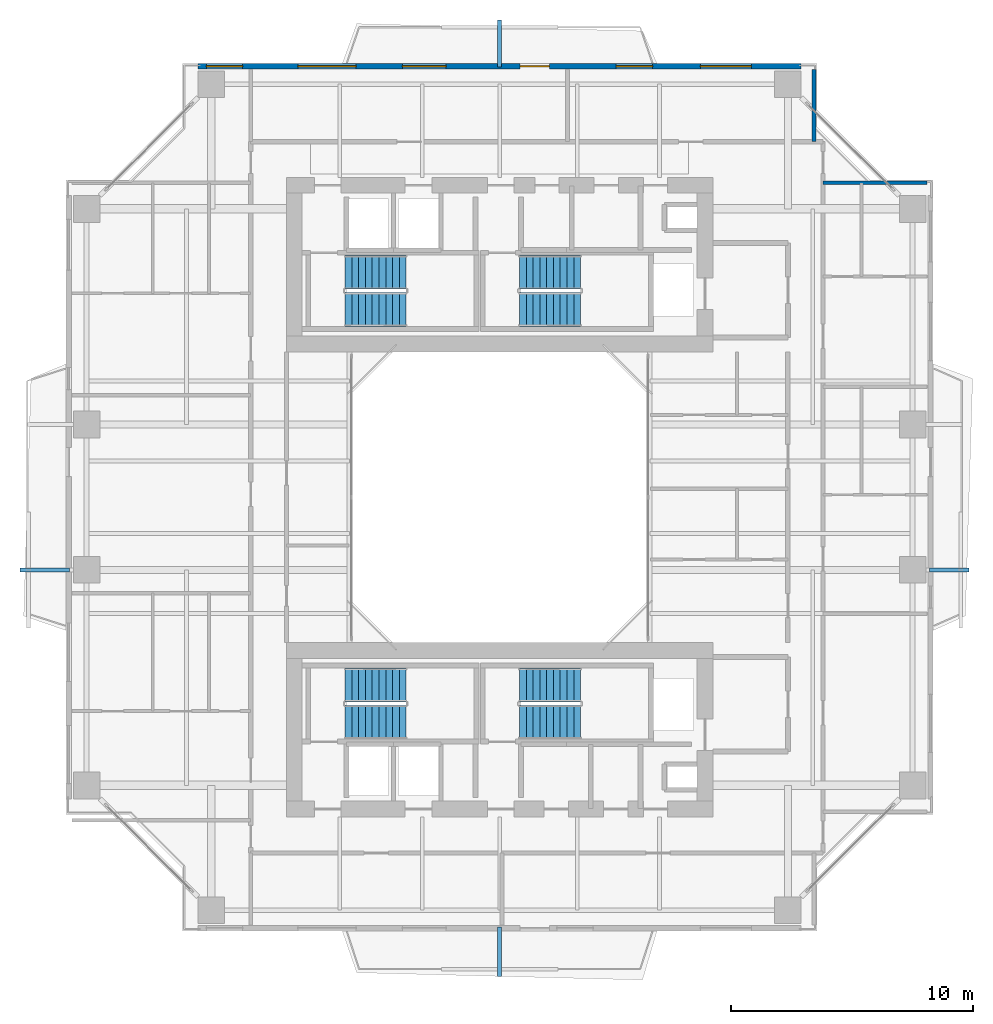
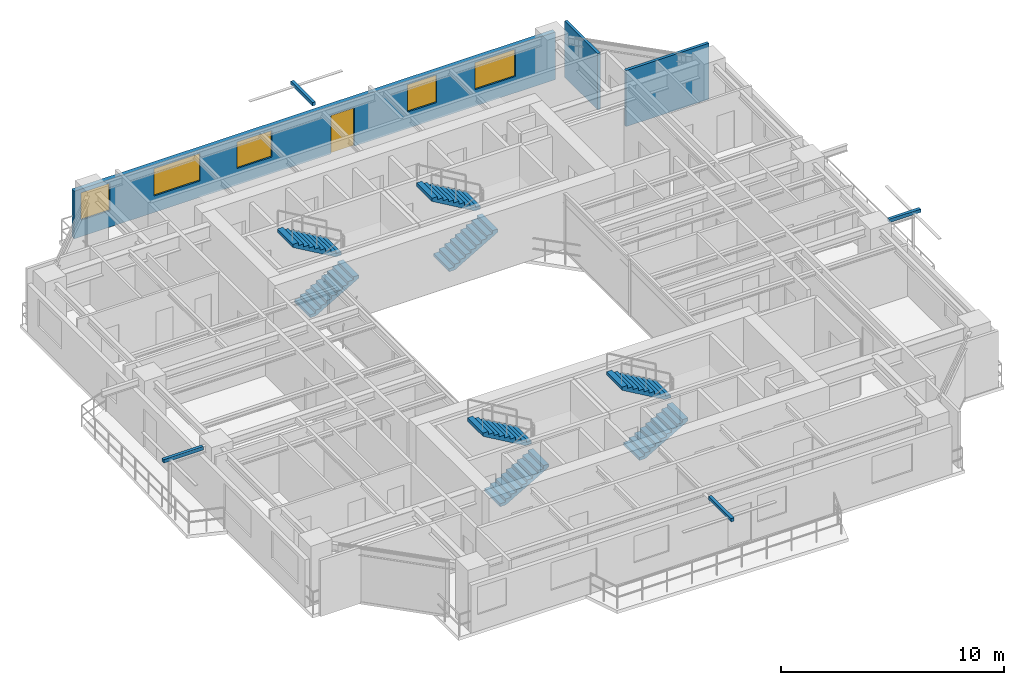
# One storey, part 14 of 17: 8 stair flights, 5 windows, 4 discrete accessories, 3 walls, 1 door, 6 openings, 4 elements without a shape of their own.
"""IFC4 building model written with IfcOpenShell, lengths in metres."""

from ifc_helpers import new_model, si_unit, direction, frame, frame_2d, origin, origin_2d, place, context, subcontext, project, spatial, polyline, rectangle, outline, extrude, source, transform, mapped, material, layer, layer_set, type_object, element, fill, aggregate, save


model = new_model("IFC4")

# Units and contexts
model_context = context("Model", 3, precision=1e-05, world=origin(), true_north=direction((0.0, 1.0)))
body_context = subcontext(model_context, "Body", "Model", "MODEL_VIEW")
ifc_project = project(units=[si_unit("LENGTHUNIT", "METRE"), si_unit("AREAUNIT", "SQUARE_METRE"), si_unit("VOLUMEUNIT", "CUBIC_METRE"), si_unit("PLANEANGLEUNIT", "RADIAN"), si_unit("MASSUNIT", "GRAM", prefix="KILO"), si_unit("THERMODYNAMICTEMPERATUREUNIT", "KELVIN"), si_unit("POWERUNIT", "WATT")], contexts=[model_context])

# Site, building, storey
site_placement = place(None, origin())
site = spatial("IfcSite", under=ifc_project, at=site_placement, CompositionType="ELEMENT")
building_placement = place(site_placement, origin())
building = spatial("IfcBuilding", under=site, at=building_placement, Name="Qiaomeng Ring Towers", CompositionType="ELEMENT")
storey_placement = place(building_placement, frame((0.0, 0.0, 129.5)))
storey = spatial("IfcBuildingStorey", under=building, at=storey_placement, Name="L37", CompositionType="ELEMENT", Elevation=129.5)

# Wall, openings, windows, door
ifc_material_1 = material(Name="Precast concrete C40", Category="concrete")
ifc_layer_1 = layer(ifc_material_1, 0.219970703125, Name="Precast concrete C40")
ifc_layer_set_1 = layer_set([ifc_layer_1], Name="Precast concrete C40")
wall_type_1 = type_object("IfcWallType", Name="ARC-WL-EW2", PredefinedType="STANDARD", material=ifc_layer_set_1)
wall_1_placement = place(storey_placement, frame((6.550048828125, 40.7900390625, 0.0), z_axis=(0.0, 0.0, 1.0), x_axis=(1.0, 0.0, 0.0)))
wall_1 = element("IfcWall", 1, at=wall_1_placement, inside=storey, type_object=wall_type_1, Name="L37 Tower 1 N Exterior Wall", PredefinedType="STANDARD", context=body_context, shape_type="SweptSolid", body=[
    extrude(rectangle(XDim=24.89990234375, YDim=0.219970703125, at=frame_2d((12.449951171875, 0.0))), origin(), (0.0, 0.0, 1.0), 2.610107421875),
])
opening_1_placement = place(wall_1_placement, frame((13.300048828125, 0.0, 0.0)))
opening_1 = element("IfcOpeningElement", 2, at=opening_1_placement, cuts=wall_1, Name="Opening BD1", PredefinedType="OPENING", context=body_context, shape_type="SweptSolid", body=[
    extrude(rectangle(XDim=1.199951171875, YDim=2.10009765625, at=frame_2d((0.60009765625, 1.050048828125))), frame((0.0, 0.119873046875, 0.0), z_axis=(0.0, -1.0, 0.0), x_axis=(1.0, 0.0, 0.0)), (0.0, 0.0, 1.0), 0.239990234375),
])
opening_2_placement = place(wall_1_placement, frame((0.342529296875, 0.0, 0.89990234375)))
opening_2 = element("IfcOpeningElement", 3, at=opening_2_placement, cuts=wall_1, Name="Opening WN2", PredefinedType="OPENING", context=body_context, shape_type="SweptSolid", body=[
    extrude(rectangle(XDim=1.5, YDim=1.5, at=frame_2d((0.75, 0.75))), frame((0.0, 0.119873046875, 0.0), z_axis=(0.0, -1.0, 0.0), x_axis=(1.0, 0.0, 0.0)), (0.0, 0.0, 1.0), 0.239990234375),
])
opening_3_placement = place(wall_1_placement, frame((8.43798828125, 0.0, 0.89990234375)))
opening_3 = element("IfcOpeningElement", 4, at=opening_3_placement, cuts=wall_1, Name="Opening WN1", PredefinedType="OPENING", context=body_context, shape_type="SweptSolid", body=[
    extrude(rectangle(XDim=1.800048828125, YDim=1.449951171875, at=frame_2d((0.89990234375, 0.72509765625))), frame((0.0, 0.119873046875, 0.0), z_axis=(0.0, -1.0, 0.0), x_axis=(1.0, 0.0, 0.0)), (0.0, 0.0, 1.0), 0.239990234375),
])
opening_4_placement = place(wall_1_placement, frame((17.261474609375, 0.0, 0.89990234375)))
opening_4 = element("IfcOpeningElement", 5, at=opening_4_placement, cuts=wall_1, Name="Opening WN2", PredefinedType="OPENING", context=body_context, shape_type="SweptSolid", body=[
    extrude(rectangle(XDim=1.5, YDim=1.5, at=frame_2d((0.75, 0.75))), frame((0.0, 0.119873046875, 0.0), z_axis=(0.0, -1.0, 0.0), x_axis=(1.0, 0.0, 0.0)), (0.0, 0.0, 1.0), 0.239990234375),
])
opening_5_placement = place(wall_1_placement, frame((20.738037109375, 0.0, 0.89990234375)))
opening_5 = element("IfcOpeningElement", 6, at=opening_5_placement, cuts=wall_1, Name="Opening WN4", PredefinedType="OPENING", context=body_context, shape_type="SweptSolid", body=[
    extrude(rectangle(XDim=2.10009765625, YDim=1.47998046875, at=frame_2d((1.050048828125, 0.739990234375))), frame((0.0, 0.119873046875, 0.0), z_axis=(0.0, -1.0, 0.0), x_axis=(1.0, 0.0, 0.0)), (0.0, 0.0, 1.0), 0.239990234375),
])
opening_6_placement = place(wall_1_placement, frame((4.12158203125, 0.0, 0.89990234375)))
opening_6 = element("IfcOpeningElement", 7, at=opening_6_placement, cuts=wall_1, Name="Opening WN6", PredefinedType="OPENING", context=body_context, shape_type="SweptSolid", body=[
    extrude(rectangle(XDim=2.39990234375, YDim=1.5, at=frame_2d((1.199951171875, 0.75))), frame((0.0, 0.119873046875, 0.0), z_axis=(0.0, -1.0, 0.0), x_axis=(1.0, 0.0, 0.0)), (0.0, 0.0, 1.0), 0.239990234375),
])
ifc_material_2 = material(Name="Low-E dark-grey laminated double glazing", Category="glass")
window_type_1 = type_object("IfcWindowType", Name="ARC-WN-4", PartitioningType="TRIPLE_PANEL_VERTICAL", PredefinedType="WINDOW", material=ifc_material_2)
shared_shape_1 = source(origin(), body_context, "Body", "SweptSolid", [
    extrude(rectangle(XDim=2.10009765625, YDim=1.47998046875, at=frame_2d((1.050048828125, 0.739990234375))), frame((0.0, 0.030029296875, 0.0), z_axis=(0.0, -1.0, 0.0), x_axis=(1.0, 0.0, 0.0)), (0.0, 0.0, 1.0), 0.06005859375),
])
window_1_placement = place(opening_5_placement, origin())
window_1 = element("IfcWindow", 8, at=window_1_placement, inside=storey, type_object=window_type_1, Name="L37 Exterior Window WN4", OverallHeight=1.47998046875, OverallWidth=2.10009765625, PartitioningType="TRIPLE_PANEL_VERTICAL", PredefinedType="WINDOW", context=body_context, shape_type="MappedRepresentation", body=[
    mapped(shared_shape_1, transform((0.0, 0.0, 0.0), x_axis=(1.0, 0.0, 0.0), y_axis=(0.0, 1.0, 0.0), z_axis=(0.0, 0.0, 1.0), scale=1.0)),
])
fill(opening_5, window_1)
window_type_2 = type_object("IfcWindowType", Name="ARC-WN-1", PartitioningType="DOUBLE_PANEL_VERTICAL", PredefinedType="WINDOW", material=ifc_material_2)
shared_shape_2 = source(origin(), body_context, "Body", "SweptSolid", [
    extrude(rectangle(XDim=1.800048828125, YDim=1.449951171875, at=frame_2d((0.89990234375, 0.72509765625))), frame((0.0, 0.030029296875, 0.0), z_axis=(0.0, -1.0, 0.0), x_axis=(1.0, 0.0, 0.0)), (0.0, 0.0, 1.0), 0.06005859375),
])
window_2_placement = place(opening_3_placement, origin())
window_2 = element("IfcWindow", 9, at=window_2_placement, inside=storey, type_object=window_type_2, Name="L37 Exterior Window WN1", OverallHeight=1.449951171875, OverallWidth=1.800048828125, PartitioningType="DOUBLE_PANEL_VERTICAL", PredefinedType="WINDOW", context=body_context, shape_type="MappedRepresentation", body=[
    mapped(shared_shape_2, transform((0.0, 0.0, 0.0), x_axis=(1.0, 0.0, 0.0), y_axis=(0.0, 1.0, 0.0), z_axis=(0.0, 0.0, 1.0), scale=1.0)),
])
fill(opening_3, window_2)
door_type = type_object("IfcDoorType", Name="ARC-DR-BD1", OperationType="NOTDEFINED", PredefinedType="DOOR", material=ifc_material_2)
shared_shape_3 = source(origin(), body_context, "Body", "SweptSolid", [
    extrude(rectangle(XDim=1.199951171875, YDim=2.10009765625, at=frame_2d((0.60009765625, 1.050048828125))), frame((0.0, 0.02490234375, 0.0), z_axis=(0.0, -1.0, 0.0), x_axis=(1.0, 0.0, 0.0)), (0.0, 0.0, 1.0), 0.050048828125),
])
door_placement = place(opening_1_placement, origin())
door = element("IfcDoor", 10, at=door_placement, inside=storey, type_object=door_type, Name="L37 N Balcony Glazed Door", OperationType="SINGLE_SWING_LEFT", OverallHeight=2.10009765625, OverallWidth=1.199951171875, PredefinedType="DOOR", context=body_context, shape_type="MappedRepresentation", body=[
    mapped(shared_shape_3, transform((0.0, 0.0, 0.0), x_axis=(1.0, 0.0, 0.0), y_axis=(0.0, 1.0, 0.0), z_axis=(0.0, 0.0, 1.0), scale=1.0)),
])
fill(opening_1, door)
window_type_3 = type_object("IfcWindowType", Name="ARC-WN-2", PartitioningType="DOUBLE_PANEL_VERTICAL", PredefinedType="WINDOW", material=ifc_material_2)
shared_shape_4 = source(origin(), body_context, "Body", "SweptSolid", [
    extrude(rectangle(XDim=1.5, YDim=1.5, at=frame_2d((0.75, 0.75))), frame((0.0, 0.030029296875, 0.0), z_axis=(0.0, -1.0, 0.0), x_axis=(1.0, 0.0, 0.0)), (0.0, 0.0, 1.0), 0.06005859375),
])
window_3_placement = place(opening_2_placement, origin())
window_3 = element("IfcWindow", 11, at=window_3_placement, inside=storey, type_object=window_type_3, Name="L37 Exterior Window WN6", OverallHeight=1.5, OverallWidth=1.5, PartitioningType="TRIPLE_PANEL_VERTICAL", PredefinedType="WINDOW", context=body_context, shape_type="MappedRepresentation", body=[
    mapped(shared_shape_4, transform((0.0, 0.0, 0.0), x_axis=(1.0, 0.0, 0.0), y_axis=(0.0, 1.0, 0.0), z_axis=(0.0, 0.0, 1.0), scale=1.0)),
])
fill(opening_2, window_3)
window_4_placement = place(opening_4_placement, origin())
window_4 = element("IfcWindow", 12, at=window_4_placement, inside=storey, type_object=window_type_3, Name="L37 Exterior Window WN2", OverallHeight=1.5, OverallWidth=1.5, PartitioningType="DOUBLE_PANEL_VERTICAL", PredefinedType="WINDOW", context=body_context, shape_type="MappedRepresentation", body=[
    mapped(shared_shape_4, transform((0.0, 0.0, 0.0), x_axis=(1.0, 0.0, 0.0), y_axis=(0.0, 1.0, 0.0), z_axis=(0.0, 0.0, 1.0), scale=1.0)),
])
fill(opening_4, window_4)
window_type_4 = type_object("IfcWindowType", Name="ARC-WN-6", PartitioningType="TRIPLE_PANEL_VERTICAL", PredefinedType="WINDOW", material=ifc_material_2)
shared_shape_5 = source(origin(), body_context, "Body", "SweptSolid", [
    extrude(rectangle(XDim=2.39990234375, YDim=1.5, at=frame_2d((1.199951171875, 0.75))), frame((0.0, 0.030029296875, 0.0), z_axis=(0.0, -1.0, 0.0), x_axis=(1.0, 0.0, 0.0)), (0.0, 0.0, 1.0), 0.06005859375),
])
window_5_placement = place(opening_6_placement, origin())
window_5 = element("IfcWindow", 13, at=window_5_placement, inside=storey, type_object=window_type_4, Name="L37 Exterior Window WN6", OverallHeight=1.5, OverallWidth=2.39990234375, PartitioningType="TRIPLE_PANEL_VERTICAL", PredefinedType="WINDOW", context=body_context, shape_type="MappedRepresentation", body=[
    mapped(shared_shape_5, transform((0.0, 0.0, 0.0), x_axis=(1.0, 0.0, 0.0), y_axis=(0.0, 1.0, 0.0), z_axis=(0.0, 0.0, 1.0), scale=1.0)),
])
fill(opening_6, window_5)

# Walls
ifc_material_3 = material(Name="Gypsum fireboard steel-stud partition", Category="steel")
ifc_layer_2 = layer(ifc_material_3, 0.14990234375, Name="Gypsum fireboard steel-stud partition")
ifc_layer_set_2 = layer_set([ifc_layer_2], Name="Gypsum fireboard steel-stud partition")
wall_type_2 = type_object("IfcWallType", Name="ARC-WL-PW3", PredefinedType="PARTITIONING", material=ifc_layer_set_2)
wall_2_placement = place(storey_placement, frame((31.97998046875, 37.679931640625, 0.0), z_axis=(0.0, 0.0, 1.0), x_axis=(0.0, 1.0, 0.0)))
element("IfcWall", 14, at=wall_2_placement, inside=storey, type_object=wall_type_2, Name="L37 Interior Wall PW3", PredefinedType="PARTITIONING", context=body_context, shape_type="SweptSolid", body=[
    extrude(rectangle(XDim=2.969970703125, YDim=0.14990234375, at=frame_2d((1.48486328125, 0.0))), origin(), (0.0, 0.0, 1.0), 3.070068359375),
])
wall_3_placement = place(storey_placement, frame((32.35009765625, 35.97998046875, 0.0), z_axis=(0.0, 0.0, 1.0), x_axis=(1.0, 0.0, 0.0)))
element("IfcWall", 15, at=wall_3_placement, inside=storey, type_object=wall_type_2, Name="L37 Interior Wall PW3", PredefinedType="PARTITIONING", context=body_context, shape_type="SweptSolid", body=[
    extrude(rectangle(XDim=4.2998046875, YDim=0.14990234375, at=frame_2d((2.14990234375, 0.0))), origin(), (0.0, 0.0, 1.0), 3.070068359375),
])

# Stair, stair flights
stair_type = type_object("IfcStairType", Name="ARC-ST-325", PredefinedType="HALF_TURN_STAIR", material=ifc_material_1)
stair_1_placement = place(storey_placement, origin())
stair_1 = element("IfcStair", 16, at=stair_1_placement, inside=storey, type_object=stair_type, Name="L37 Tower 1 North Stair 1", PredefinedType="HALF_TURN_STAIR")
stair_flight_type = type_object("IfcStairFlightType", Name="ARC-ST-325-FL", PredefinedType="STRAIGHT", material=ifc_material_1)
shared_shape_6 = source(origin(), body_context, "Body", "SweptSolid", [
    extrude(outline(polyline([(0.0, 0.0), (0.0, 0.16259765625), (0.280029296875, 0.16259765625), (0.280029296875, 0.324951171875), (0.56005859375, 0.324951171875), (0.56005859375, 0.487548828125), (0.840087890625, 0.487548828125), (0.840087890625, 0.64990234375), (1.1201171875, 0.64990234375), (1.1201171875, 0.8125), (1.39990234375, 0.8125), (1.39990234375, 0.97509765625), (1.679931640625, 0.97509765625), (1.679931640625, 1.137451171875), (1.9599609375, 1.137451171875), (1.9599609375, 1.300048828125), (2.239990234375, 1.300048828125), (2.239990234375, 1.46240234375), (2.52001953125, 1.46240234375), (2.52001953125, 1.625), (2.52001953125, 1.2890625), (0.298583984375, 0.0), (0.0, 0.0)])), frame((0.0, 0.699951171875, 0.0), z_axis=(0.0, -1.0, 0.0), x_axis=(1.0, 0.0, 0.0)), (0.0, 0.0, 1.0), 1.39990234375),
])
stair_flight_1_placement = place(storey_placement, frame((12.6201171875, 30.75, 0.0), z_axis=(0.0, 0.0, 1.0), x_axis=(1.0, 0.0, 0.0)))
stair_flight_1 = element("IfcStairFlight", 17, at=stair_flight_1_placement, type_object=stair_flight_type, Name="ST1 flight 1", NumberOfRisers=10, NumberOfTreads=9, PredefinedType="STRAIGHT", RiserHeight=0.1625, TreadLength=0.28, context=body_context, shape_type="MappedRepresentation", body=[
    mapped(shared_shape_6, transform((0.0, 0.0, 0.0), x_axis=(1.0, 0.0, 0.0), y_axis=(0.0, 1.0, 0.0), z_axis=(0.0, 0.0, 1.0), scale=1.0)),
])
stair_flight_2_placement = place(storey_placement, frame((15.139892578125, 32.2900390625, 1.625), z_axis=(0.0, 0.0, 1.0), x_axis=(-1.0, 0.0, 0.0)))
stair_flight_2 = element("IfcStairFlight", 18, at=stair_flight_2_placement, type_object=stair_flight_type, Name="ST1 flight 2", NumberOfRisers=10, NumberOfTreads=9, PredefinedType="STRAIGHT", RiserHeight=0.1625, TreadLength=0.28, context=body_context, shape_type="MappedRepresentation", body=[
    mapped(shared_shape_6, transform((0.0, 0.0, 0.0), x_axis=(1.0, 0.0, 0.0), y_axis=(0.0, 1.0, 0.0), z_axis=(0.0, 0.0, 1.0), scale=1.0)),
])
aggregate(stair_1, [stair_flight_1, stair_flight_2])

stair_2_placement = place(storey_placement, origin())
stair_2 = element("IfcStair", 19, at=stair_2_placement, inside=storey, type_object=stair_type, Name="L37 Tower 1 North Stair 2", PredefinedType="HALF_TURN_STAIR")
stair_flight_3_placement = place(storey_placement, frame((19.820068359375, 30.75, 0.0), z_axis=(0.0, 0.0, 1.0), x_axis=(1.0, 0.0, 0.0)))
stair_flight_3 = element("IfcStairFlight", 20, at=stair_flight_3_placement, type_object=stair_flight_type, Name="ST2 flight 1", NumberOfRisers=10, NumberOfTreads=9, PredefinedType="STRAIGHT", RiserHeight=0.1625, TreadLength=0.28, context=body_context, shape_type="MappedRepresentation", body=[
    mapped(shared_shape_6, transform((0.0, 0.0, 0.0), x_axis=(1.0, 0.0, 0.0), y_axis=(0.0, 1.0, 0.0), z_axis=(0.0, 0.0, 1.0), scale=1.0)),
])
stair_flight_4_placement = place(storey_placement, frame((22.340087890625, 32.2900390625, 1.625), z_axis=(0.0, 0.0, 1.0), x_axis=(-1.0, 0.0, 0.0)))
stair_flight_4 = element("IfcStairFlight", 21, at=stair_flight_4_placement, type_object=stair_flight_type, Name="ST2 flight 2", NumberOfRisers=10, NumberOfTreads=9, PredefinedType="STRAIGHT", RiserHeight=0.1625, TreadLength=0.28, context=body_context, shape_type="MappedRepresentation", body=[
    mapped(shared_shape_6, transform((0.0, 0.0, 0.0), x_axis=(1.0, 0.0, 0.0), y_axis=(0.0, 1.0, 0.0), z_axis=(0.0, 0.0, 1.0), scale=1.0)),
])
aggregate(stair_2, [stair_flight_3, stair_flight_4])

stair_3_placement = place(storey_placement, origin())
stair_3 = element("IfcStair", 22, at=stair_3_placement, inside=storey, type_object=stair_type, Name="L37 Tower 1 South Stair 3", PredefinedType="HALF_TURN_STAIR")
stair_flight_5_placement = place(storey_placement, frame((12.6201171875, 13.7099609375, 0.0), z_axis=(0.0, 0.0, 1.0), x_axis=(1.0, 0.0, 0.0)))
stair_flight_5 = element("IfcStairFlight", 23, at=stair_flight_5_placement, type_object=stair_flight_type, Name="ST3 flight 1", NumberOfRisers=10, NumberOfTreads=9, PredefinedType="STRAIGHT", RiserHeight=0.1625, TreadLength=0.28, context=body_context, shape_type="MappedRepresentation", body=[
    mapped(shared_shape_6, transform((0.0, 0.0, 0.0), x_axis=(1.0, 0.0, 0.0), y_axis=(0.0, 1.0, 0.0), z_axis=(0.0, 0.0, 1.0), scale=1.0)),
])
stair_flight_6_placement = place(storey_placement, frame((15.139892578125, 15.25, 1.625), z_axis=(0.0, 0.0, 1.0), x_axis=(-1.0, 0.0, 0.0)))
stair_flight_6 = element("IfcStairFlight", 24, at=stair_flight_6_placement, type_object=stair_flight_type, Name="ST3 flight 2", NumberOfRisers=10, NumberOfTreads=9, PredefinedType="STRAIGHT", RiserHeight=0.1625, TreadLength=0.28, context=body_context, shape_type="MappedRepresentation", body=[
    mapped(shared_shape_6, transform((0.0, 0.0, 0.0), x_axis=(1.0, 0.0, 0.0), y_axis=(0.0, 1.0, 0.0), z_axis=(0.0, 0.0, 1.0), scale=1.0)),
])
aggregate(stair_3, [stair_flight_5, stair_flight_6])

stair_4_placement = place(storey_placement, origin())
stair_4 = element("IfcStair", 25, at=stair_4_placement, inside=storey, type_object=stair_type, Name="L37 Tower 1 South Stair 4", PredefinedType="HALF_TURN_STAIR")
stair_flight_7_placement = place(storey_placement, frame((19.820068359375, 13.7099609375, 0.0), z_axis=(0.0, 0.0, 1.0), x_axis=(1.0, 0.0, 0.0)))
stair_flight_7 = element("IfcStairFlight", 26, at=stair_flight_7_placement, type_object=stair_flight_type, Name="ST4 flight 1", NumberOfRisers=10, NumberOfTreads=9, PredefinedType="STRAIGHT", RiserHeight=0.1625, TreadLength=0.28, context=body_context, shape_type="MappedRepresentation", body=[
    mapped(shared_shape_6, transform((0.0, 0.0, 0.0), x_axis=(1.0, 0.0, 0.0), y_axis=(0.0, 1.0, 0.0), z_axis=(0.0, 0.0, 1.0), scale=1.0)),
])
stair_flight_8_placement = place(storey_placement, frame((22.340087890625, 15.25, 1.625), z_axis=(0.0, 0.0, 1.0), x_axis=(-1.0, 0.0, 0.0)))
stair_flight_8 = element("IfcStairFlight", 27, at=stair_flight_8_placement, type_object=stair_flight_type, Name="ST4 flight 2", NumberOfRisers=10, NumberOfTreads=9, PredefinedType="STRAIGHT", RiserHeight=0.1625, TreadLength=0.28, context=body_context, shape_type="MappedRepresentation", body=[
    mapped(shared_shape_6, transform((0.0, 0.0, 0.0), x_axis=(1.0, 0.0, 0.0), y_axis=(0.0, 1.0, 0.0), z_axis=(0.0, 0.0, 1.0), scale=1.0)),
])
aggregate(stair_4, [stair_flight_7, stair_flight_8])

# Discrete accessories
ifc_material_4 = material(Name="Stainless steel 316", Category="steel")
discrete_accessory_type = type_object("IfcDiscreteAccessoryType", Name="ARC-ACC-BRACKET", PredefinedType="BRACKET", material=ifc_material_4)
shared_shape_7 = source(origin(), body_context, "Body", "SweptSolid", [
    extrude(rectangle(XDim=0.159912109375, YDim=2.030029296875, at=origin_2d()), origin(), (0.0, 0.0, 1.0), 0.179931640625),
])
discrete_accessory_1_placement = place(storey_placement, frame((19.0, 4.235107421875, 2.89990234375), z_axis=(0.0, 0.0, 1.0), x_axis=(1.0, 0.0, 0.0)))
element("IfcDiscreteAccessory", 28, at=discrete_accessory_1_placement, inside=storey, type_object=discrete_accessory_type, Name="L37 Stainless Outer-Skin Tie Bracket S", PredefinedType="BRACKET", context=body_context, shape_type="MappedRepresentation", body=[
    mapped(shared_shape_7, transform((0.0, 0.0, 0.0), x_axis=(1.0, 0.0, 0.0), y_axis=(0.0, 1.0, 0.0), z_axis=(0.0, 0.0, 1.0), scale=1.0)),
])
shared_shape_8 = source(origin(), body_context, "Body", "SweptSolid", [
    extrude(rectangle(XDim=1.6298828125, YDim=0.159912109375, at=origin_2d()), origin(), (0.0, 0.0, 1.0), 0.179931640625),
])
discrete_accessory_2_placement = place(storey_placement, frame((37.56494140625, 20.0, 2.89990234375), z_axis=(0.0, 0.0, 1.0), x_axis=(1.0, 0.0, 0.0)))
element("IfcDiscreteAccessory", 29, at=discrete_accessory_2_placement, inside=storey, type_object=discrete_accessory_type, Name="L37 Stainless Outer-Skin Tie Bracket E", PredefinedType="BRACKET", context=body_context, shape_type="MappedRepresentation", body=[
    mapped(shared_shape_8, transform((0.0, 0.0, 0.0), x_axis=(1.0, 0.0, 0.0), y_axis=(0.0, 1.0, 0.0), z_axis=(0.0, 0.0, 1.0), scale=1.0)),
])
shared_shape_9 = source(origin(), body_context, "Body", "SweptSolid", [
    extrude(rectangle(XDim=0.159912109375, YDim=1.949951171875, at=origin_2d()), origin(), (0.0, 0.0, 1.0), 0.179931640625),
])
discrete_accessory_3_placement = place(storey_placement, frame((19.0, 41.72509765625, 2.89990234375), z_axis=(0.0, 0.0, 1.0), x_axis=(1.0, 0.0, 0.0)))
element("IfcDiscreteAccessory", 30, at=discrete_accessory_3_placement, inside=storey, type_object=discrete_accessory_type, Name="L37 Stainless Outer-Skin Tie Bracket N", PredefinedType="BRACKET", context=body_context, shape_type="MappedRepresentation", body=[
    mapped(shared_shape_9, transform((0.0, 0.0, 0.0), x_axis=(1.0, 0.0, 0.0), y_axis=(0.0, 1.0, 0.0), z_axis=(0.0, 0.0, 1.0), scale=1.0)),
])
shared_shape_10 = source(origin(), body_context, "Body", "SweptSolid", [
    extrude(rectangle(XDim=2.050048828125, YDim=0.159912109375, at=origin_2d()), origin(), (0.0, 0.0, 1.0), 0.179931640625),
])
discrete_accessory_4_placement = place(storey_placement, frame((0.22509765625, 20.0, 2.89990234375), z_axis=(0.0, 0.0, 1.0), x_axis=(1.0, 0.0, 0.0)))
element("IfcDiscreteAccessory", 31, at=discrete_accessory_4_placement, inside=storey, type_object=discrete_accessory_type, Name="L37 Stainless Outer-Skin Tie Bracket W", PredefinedType="BRACKET", context=body_context, shape_type="MappedRepresentation", body=[
    mapped(shared_shape_10, transform((0.0, 0.0, 0.0), x_axis=(1.0, 0.0, 0.0), y_axis=(0.0, 1.0, 0.0), z_axis=(0.0, 0.0, 1.0), scale=1.0)),
])

save(model, "model.ifc")
